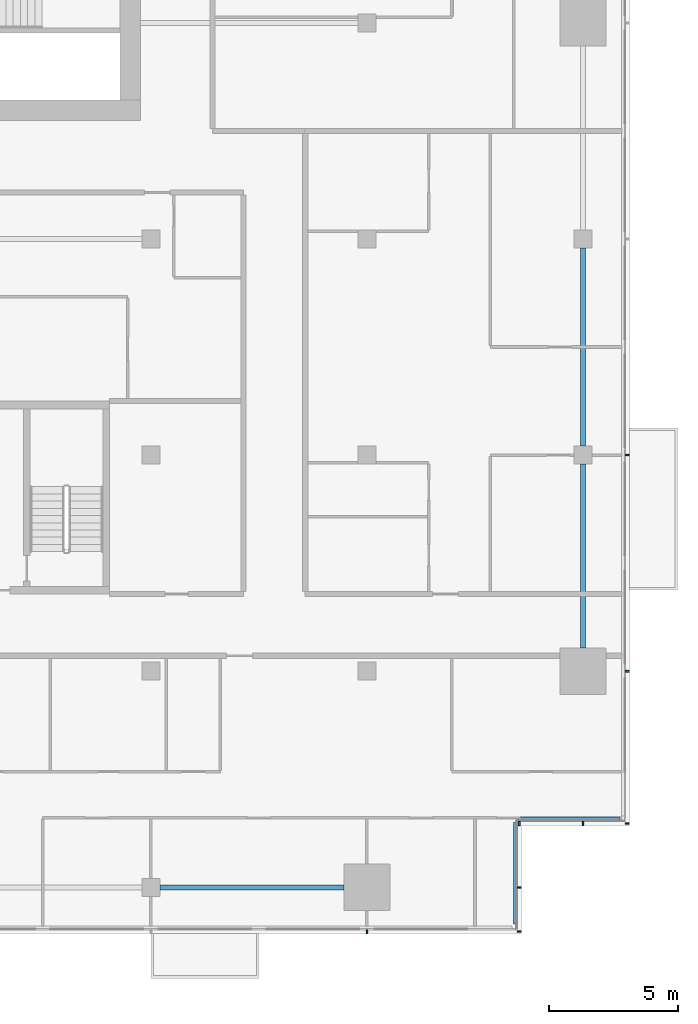
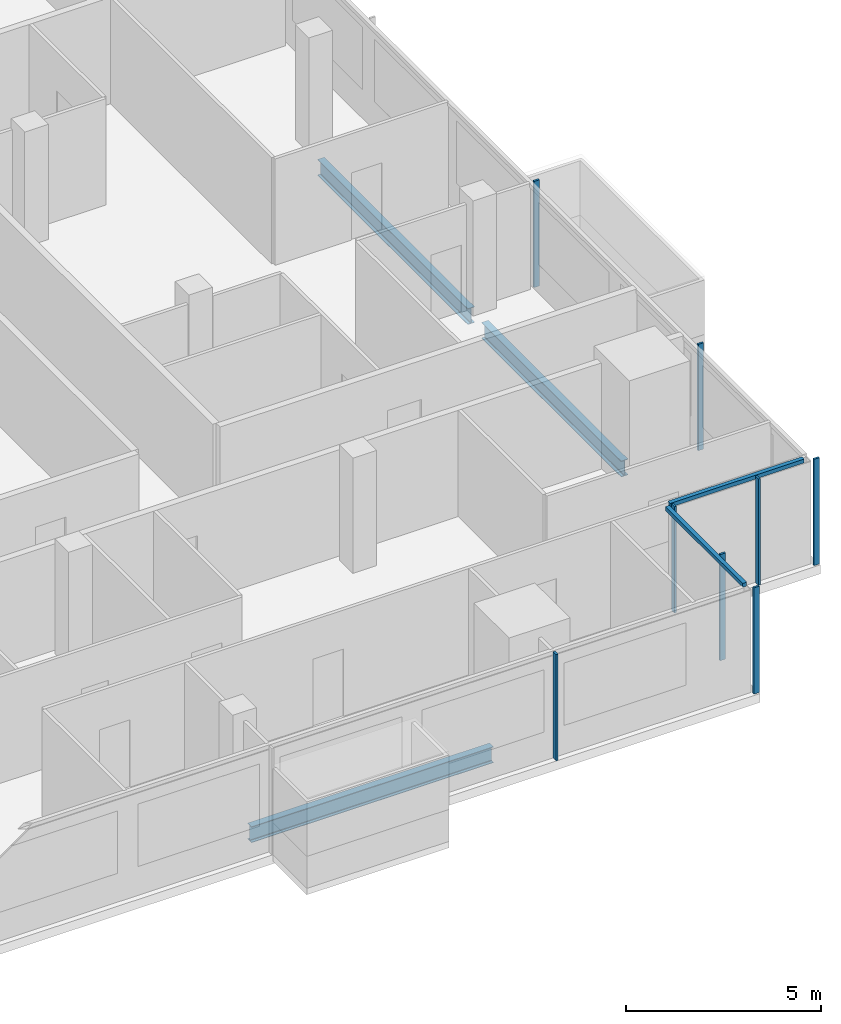
# One storey, part 11 of 27: 10 members, 3 beams, 4 elements without a shape of their own.
"""IFC4 building model written with IfcOpenShell, lengths in metres."""

from ifc_helpers import new_model, si_unit, direction, frame, origin, origin_2d, place, context, subcontext, project, spatial, rectangle, i_section, extrude, material, material_profile, profile_set, type_object, element, aggregate, save


model = new_model("IFC4")

# Units and contexts
model_context = context("Model", 3, precision=1e-05, world=origin(), true_north=direction((0.0, 1.0)))
body_context = subcontext(model_context, "Body", "Model", "MODEL_VIEW")
ifc_project = project(units=[si_unit("LENGTHUNIT", "METRE"), si_unit("AREAUNIT", "SQUARE_METRE"), si_unit("VOLUMEUNIT", "CUBIC_METRE"), si_unit("PLANEANGLEUNIT", "RADIAN"), si_unit("MASSUNIT", "GRAM", prefix="KILO")], contexts=[model_context])

# Site, building, storey
site_placement = place(None, origin())
site = spatial("IfcSite", under=ifc_project, at=site_placement, CompositionType="ELEMENT")
building_placement = place(site_placement, origin())
building = spatial("IfcBuilding", under=site, at=building_placement, Name="Saffron Gate Tower", CompositionType="ELEMENT")
storey_placement = place(building_placement, frame((0.0, 0.0, 172.64990234375)))
storey = spatial("IfcBuildingStorey", under=building, at=storey_placement, Name="L42", CompositionType="ELEMENT", Elevation=172.64990234375)

# Beams
ifc_material_1 = material(Name="Structural steel S355", Category="steel")
ifc_material_profile_1 = material_profile(ifc_material_1, i_section(OverallWidth=0.199951171875, OverallDepth=0.5, WebThickness=0.01025390625, FlangeThickness=0.01611328125, FilletRadius=0.02099609375, at=origin_2d()))
ifc_profile_set_1 = profile_set([ifc_material_profile_1], Name="Structural steel S355")
beam_type = type_object("IfcBeamType", Name="B11 IPE 500", PredefinedType="SPANDREL", material=ifc_profile_set_1)
beam_1_placement = place(storey_placement, frame((108.949951171875, 31.800048828125, -0.52978515625), z_axis=(1.0, 0.0, 0.0), x_axis=(0.0, 1.0, 0.0)))
element("IfcBeam", 1, at=beam_1_placement, inside=storey, type_object=beam_type, Name="B11 SPANDREL BEAM", PredefinedType="SPANDREL", context=body_context, shape_type="SweptSolid", body=[
    extrude(i_section(OverallWidth=0.199951171875, OverallDepth=0.5, WebThickness=0.01025390625, FlangeThickness=0.01611328125, FilletRadius=0.02099609375, at=origin_2d()), origin(), (0.0, 0.0, 1.0), 7.150146484375),
])
beam_2_placement = place(storey_placement, frame((125.39990234375, 41.10009765625, -0.52978515625), z_axis=(0.0, 1.0, 0.0), x_axis=(-1.0, 0.0, 0.0)))
element("IfcBeam", 2, at=beam_2_placement, inside=storey, type_object=beam_type, Name="B11 SPANDREL BEAM", PredefinedType="SPANDREL", context=body_context, shape_type="SweptSolid", body=[
    extrude(i_section(OverallWidth=0.199951171875, OverallDepth=0.5, WebThickness=0.01025390625, FlangeThickness=0.01611328125, FilletRadius=0.02099609375, at=origin_2d()), origin(), (0.0, 0.0, 1.0), 7.14990234375),
])
beam_3_placement = place(storey_placement, frame((125.39990234375, 48.949951171875, -0.52978515625), z_axis=(0.0, 1.0, 0.0), x_axis=(-1.0, 0.0, 0.0)))
element("IfcBeam", 3, at=beam_3_placement, inside=storey, type_object=beam_type, Name="B11 SPANDREL BEAM", PredefinedType="SPANDREL", context=body_context, shape_type="SweptSolid", body=[
    extrude(i_section(OverallWidth=0.199951171875, OverallDepth=0.5, WebThickness=0.01025390625, FlangeThickness=0.01611328125, FilletRadius=0.02099609375, at=origin_2d()), origin(), (0.0, 0.0, 1.0), 7.699951171875),
])

# Curtain wall, member
ifc_material_2 = material(Name="Aluminium, bronze anodised", Category="aluminium")
curtain_wall_type_1 = type_object("IfcCurtainWallType", Name="CWS1 curtain wall front facade", PredefinedType="NOTDEFINED", material=ifc_material_2)
curtain_wall_1_placement = place(storey_placement, origin())
curtain_wall_1 = element("IfcCurtainWall", 4, at=curtain_wall_1_placement, inside=storey, type_object=curtain_wall_type_1, Name="CWS1 run 1", PredefinedType="NOTDEFINED")
ifc_material_profile_2 = material_profile(ifc_material_2, rectangle(XDim=0.159912109375, YDim=0.06005859375, at=origin_2d()))
ifc_profile_set_2 = profile_set([ifc_material_profile_2], Name="Aluminium, bronze anodised")
member_type_1 = type_object("IfcMemberType", Name="CWS1 mullion 60x160", PredefinedType="MULLION", material=ifc_profile_set_2)
member_1_placement = place(storey_placement, frame((117.0, 30.080078125, 0.0), z_axis=(0.0, 0.0, 1.0), x_axis=(0.0, 1.0, 0.0)))
member_1 = element("IfcMember", 5, at=member_1_placement, type_object=member_type_1, Name="CWS1 mullion 9", PredefinedType="MULLION", context=body_context, shape_type="SweptSolid", body=[
    extrude(rectangle(XDim=0.159912109375, YDim=0.06005859375, at=origin_2d()), origin(), (0.0, 0.0, 1.0), 3.320068359375),
])
aggregate(curtain_wall_1, [member_1])

# Curtain wall, members
curtain_wall_type_2 = type_object("IfcCurtainWallType", Name="CWS2 curtain wall side facades", PredefinedType="NOTDEFINED", material=ifc_material_2)
curtain_wall_2_placement = place(storey_placement, origin())
curtain_wall_2 = element("IfcCurtainWall", 6, at=curtain_wall_2_placement, inside=storey, type_object=curtain_wall_type_2, Name="CWS2 run 4", PredefinedType="NOTDEFINED")
ifc_material_profile_3 = material_profile(ifc_material_2, rectangle(XDim=0.159912109375, YDim=0.06005859375, at=origin_2d()))
ifc_profile_set_3 = profile_set([ifc_material_profile_3], Name="Aluminium, bronze anodised")
member_type_2 = type_object("IfcMemberType", Name="CWS2 mullion 60x160", PredefinedType="MULLION", material=ifc_profile_set_3)
member_2_placement = place(storey_placement, frame((127.1201171875, 34.280029296875, 0.0), z_axis=(0.0, 0.0, 1.0), x_axis=(-1.0, 0.0, 0.0)))
member_2 = element("IfcMember", 7, at=member_2_placement, type_object=member_type_2, Name="CWS2 mullion 1", PredefinedType="MULLION", context=body_context, shape_type="SweptSolid", body=[
    extrude(rectangle(XDim=0.159912109375, YDim=0.06005859375, at=origin_2d()), origin(), (0.0, 0.0, 1.0), 3.320068359375),
])
member_3_placement = place(storey_placement, frame((127.1201171875, 40.199951171875, 0.0), z_axis=(0.0, 0.0, 1.0), x_axis=(-1.0, 0.0, 0.0)))
member_3 = element("IfcMember", 8, at=member_3_placement, type_object=member_type_2, Name="CWS2 mullion 2", PredefinedType="MULLION", context=body_context, shape_type="SweptSolid", body=[
    extrude(rectangle(XDim=0.159912109375, YDim=0.06005859375, at=origin_2d()), origin(), (0.0, 0.0, 1.0), 3.320068359375),
])
member_4_placement = place(storey_placement, frame((127.1201171875, 48.60009765625, 0.0), z_axis=(0.0, 0.0, 1.0), x_axis=(-1.0, 0.0, 0.0)))
member_4 = element("IfcMember", 9, at=member_4_placement, type_object=member_type_2, Name="CWS2 mullion 3", PredefinedType="MULLION", context=body_context, shape_type="SweptSolid", body=[
    extrude(rectangle(XDim=0.159912109375, YDim=0.06005859375, at=origin_2d()), origin(), (0.0, 0.0, 1.0), 3.320068359375),
])
aggregate(curtain_wall_2, [member_2, member_3, member_4])

# Curtain wall, member
curtain_wall_type_3 = type_object("IfcCurtainWallType", Name="CWS4 curtain wall corner returns", PredefinedType="NOTDEFINED", material=ifc_material_2)
curtain_wall_3_placement = place(storey_placement, origin())
curtain_wall_3 = element("IfcCurtainWall", 10, at=curtain_wall_3_placement, inside=storey, type_object=curtain_wall_type_3, Name="CWS4 run 2", PredefinedType="NOTDEFINED")
ifc_material_profile_4 = material_profile(ifc_material_2, rectangle(XDim=0.1201171875, YDim=0.1201171875, at=origin_2d()))
ifc_profile_set_4 = profile_set([ifc_material_profile_4], Name="Aluminium, bronze anodised")
member_type_3 = type_object("IfcMemberType", Name="CWS4 head transom", PredefinedType="USERDEFINED", material=ifc_profile_set_4)
member_5_placement = place(storey_placement, frame((122.751953125, 30.367919921875, 3.260009765625), z_axis=(0.0, 1.0, 0.0), x_axis=(-1.0, 0.0, 0.0)))
member_5 = element("IfcMember", 11, at=member_5_placement, type_object=member_type_3, Name="CWS4 head transom", ObjectType="TRANSOM", PredefinedType="USERDEFINED", context=body_context, shape_type="SweptSolid", body=[
    extrude(rectangle(XDim=0.1201171875, YDim=0.1201171875, at=origin_2d()), origin(), (0.0, 0.0, 1.0), 3.9599609375),
])

curtain_wall_4_placement = place(storey_placement, origin())
curtain_wall_4 = element("IfcCurtainWall", 12, at=curtain_wall_4_placement, inside=storey, type_object=curtain_wall_type_3, Name="CWS4 run 3", PredefinedType="NOTDEFINED")
member_6_placement = place(storey_placement, frame((122.8720703125, 34.447998046875, 3.260009765625), z_axis=(1.0, 0.0, 0.0), x_axis=(0.0, 1.0, 0.0)))
member_6 = element("IfcMember", 13, at=member_6_placement, type_object=member_type_3, Name="CWS4 head transom", ObjectType="TRANSOM", PredefinedType="USERDEFINED", context=body_context, shape_type="SweptSolid", body=[
    extrude(rectangle(XDim=0.1201171875, YDim=0.1201171875, at=origin_2d()), origin(), (0.0, 0.0, 1.0), 3.9599609375),
])

# Member
ifc_material_profile_5 = material_profile(ifc_material_2, rectangle(XDim=0.159912109375, YDim=0.06005859375, at=origin_2d()))
ifc_profile_set_5 = profile_set([ifc_material_profile_5], Name="Aluminium, bronze anodised")
member_type_4 = type_object("IfcMemberType", Name="CWS4 mullion 60x160", PredefinedType="MULLION", material=ifc_profile_set_5)
member_7_placement = place(storey_placement, frame((122.919921875, 30.080078125, 0.0), z_axis=(0.0, 0.0, 1.0), x_axis=(-1.0, 0.0, 0.0)))
member_7 = element("IfcMember", 14, at=member_7_placement, type_object=member_type_4, Name="CWS4 mullion 1", PredefinedType="MULLION", context=body_context, shape_type="SweptSolid", body=[
    extrude(rectangle(XDim=0.159912109375, YDim=0.06005859375, at=origin_2d()), origin(), (0.0, 0.0, 1.0), 3.320068359375),
])

member_8_placement = place(storey_placement, frame((122.919921875, 31.800048828125, 0.0), z_axis=(0.0, 0.0, 1.0), x_axis=(-1.0, 0.0, 0.0)))
member_8 = element("IfcMember", 15, at=member_8_placement, type_object=member_type_4, Name="CWS4 mullion 2", PredefinedType="MULLION", context=body_context, shape_type="SweptSolid", body=[
    extrude(rectangle(XDim=0.159912109375, YDim=0.06005859375, at=origin_2d()), origin(), (0.0, 0.0, 1.0), 3.320068359375),
])

aggregate(curtain_wall_3, [member_7, member_8, member_5])

member_9_placement = place(storey_placement, frame((122.919921875, 34.280029296875, 0.0), z_axis=(0.0, 0.0, 1.0), x_axis=(0.0, 1.0, 0.0)))
member_9 = element("IfcMember", 16, at=member_9_placement, type_object=member_type_4, Name="CWS4 mullion 1", PredefinedType="MULLION", context=body_context, shape_type="SweptSolid", body=[
    extrude(rectangle(XDim=0.159912109375, YDim=0.06005859375, at=origin_2d()), origin(), (0.0, 0.0, 1.0), 3.320068359375),
])

member_10_placement = place(storey_placement, frame((125.39990234375, 34.280029296875, 0.0), z_axis=(0.0, 0.0, 1.0), x_axis=(0.0, 1.0, 0.0)))
member_10 = element("IfcMember", 17, at=member_10_placement, type_object=member_type_4, Name="CWS4 mullion 2", PredefinedType="MULLION", context=body_context, shape_type="SweptSolid", body=[
    extrude(rectangle(XDim=0.159912109375, YDim=0.06005859375, at=origin_2d()), origin(), (0.0, 0.0, 1.0), 3.320068359375),
])

aggregate(curtain_wall_4, [member_9, member_10, member_6])

save(model, "model.ifc")
